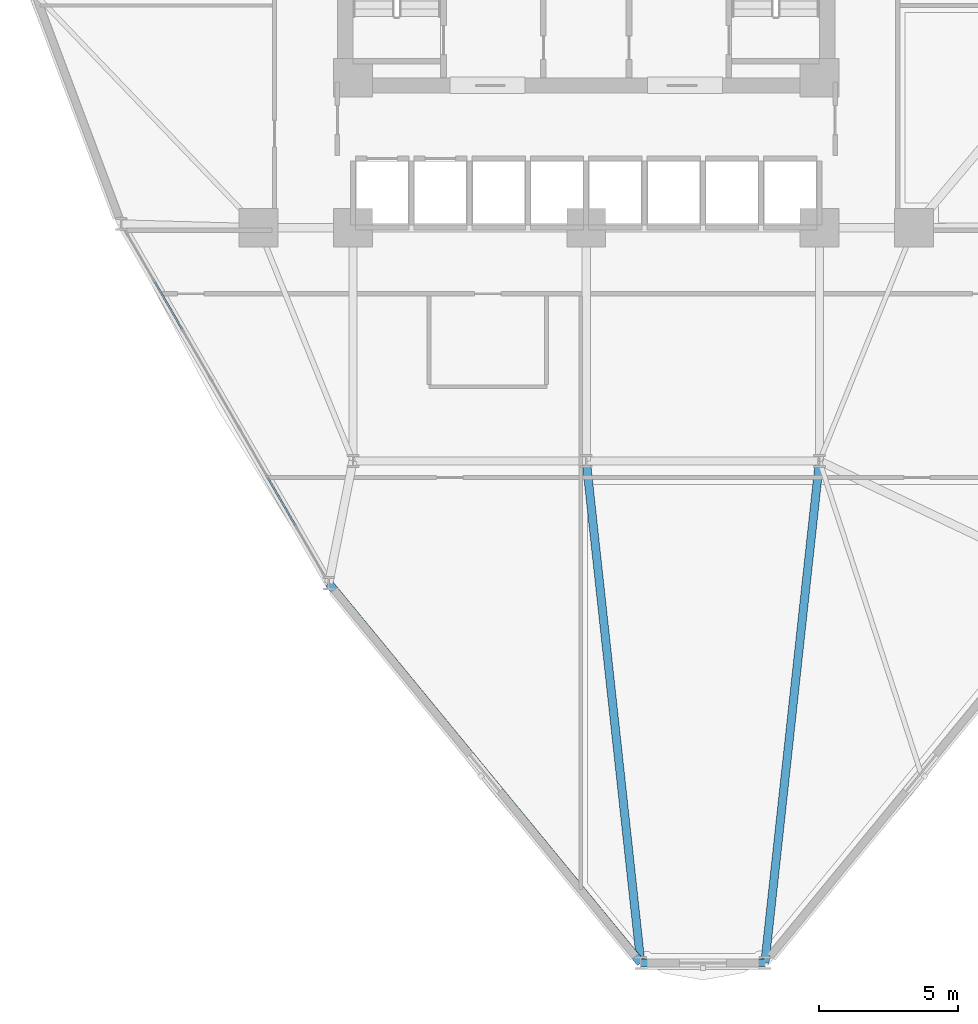
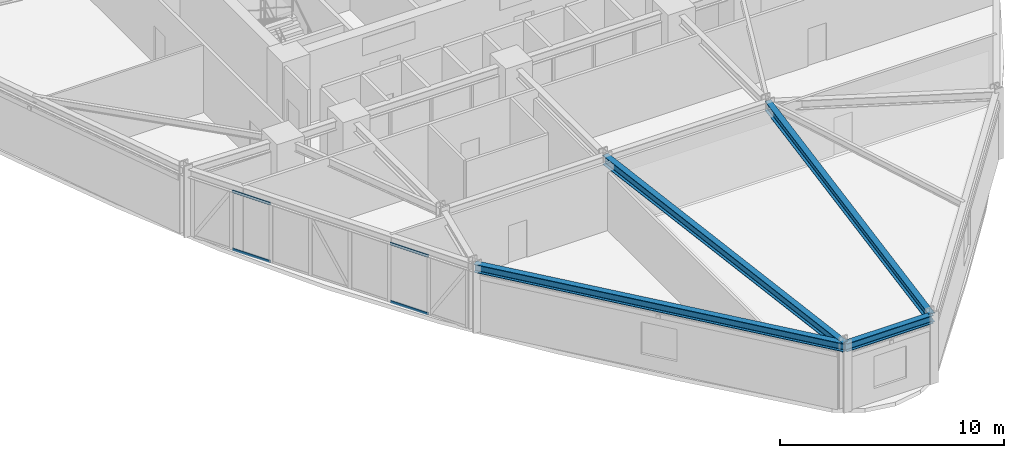
# One storey, part 3 of 20: 4 beams, 4 members, 1 element without a shape of its own.
"""IFC4 building model written with IfcOpenShell, lengths in metres."""

from ifc_helpers import new_model, si_unit, derived_unit, direction, frame, origin, origin_2d, place, context, subcontext, project, spatial, hollow_rectangle, i_section, extrude, source, transform, mapped, material, layer, layer_set, material_profile, profile_set, type_object, element, aggregate, save


model = new_model("IFC4")

# Units and contexts
model_context = context("Model", 3, precision=1e-05, world=origin(), true_north=direction((0.0, 1.0)))
body_context = subcontext(model_context, "Body", "Model", "MODEL_VIEW")
ifc_project = project(units=[si_unit("LENGTHUNIT", "METRE"), si_unit("AREAUNIT", "SQUARE_METRE"), si_unit("VOLUMEUNIT", "CUBIC_METRE"), si_unit("PLANEANGLEUNIT", "RADIAN"), si_unit("MASSUNIT", "GRAM", prefix="KILO"), derived_unit("THERMALTRANSMITTANCEUNIT", [(si_unit("POWERUNIT", "WATT"), 1), (si_unit("LENGTHUNIT", "METRE"), -2), (si_unit("THERMODYNAMICTEMPERATUREUNIT", "KELVIN"), -1)])], contexts=[model_context])

# Site, building, storey
site_placement = place(None, origin())
site = spatial("IfcSite", under=ifc_project, at=site_placement, CompositionType="ELEMENT")
building_placement = place(site_placement, origin())
building = spatial("IfcBuilding", under=site, at=building_placement, Name="Korsvarv Bourse and Concert Hall", CompositionType="ELEMENT")
storey_placement = place(building_placement, frame((0.0, 0.0, 75.60009765625)))
storey = spatial("IfcBuildingStorey", under=building, at=storey_placement, Name="L18", CompositionType="ELEMENT", Elevation=75.60009765625)

# Beams
ifc_material_1 = material(Name="Steel S355", Category="steel")
ifc_material_profile_1 = material_profile(ifc_material_1, i_section(OverallWidth=0.300048828125, OverallDepth=0.449951171875, WebThickness=0.013916015625, FlangeThickness=0.02587890625, FilletRadius=0.02099609375, at=origin_2d()), Name="HEB 450")
ifc_profile_set_1 = profile_set([ifc_material_profile_1], Name="Steel S355")
beam_type_1 = type_object("IfcBeamType", Name="BM-HEB450", PredefinedType="SPANDREL", material=ifc_profile_set_1)
shared_shape_1 = source(origin(), body_context, "Body", "SweptSolid", [
    extrude(i_section(OverallWidth=0.300048828125, OverallDepth=0.449951171875, WebThickness=0.013916015625, FlangeThickness=0.02587890625, FilletRadius=0.02099609375, at=origin_2d()), origin(), (0.0, 0.0, 1.0), 17.69775390625),
])
beam_1_placement = place(storey_placement, frame((26.728515625, 19.59814453125, 3.454833984375), z_axis=(0.634956504164, -0.772547887073, 0.0), x_axis=(0.772547887073, 0.634956504164, 0.0)))
element("IfcBeam", 1, at=beam_1_placement, inside=storey, type_object=beam_type_1, Name="L18 beam B-08", PredefinedType="SPANDREL", context=body_context, shape_type="MappedRepresentation", body=[
    mapped(shared_shape_1, transform((0.0, 0.0, 0.0), scale=1.0)),
])
shared_shape_2 = source(origin(), body_context, "Body", "SweptSolid", [
    extrude(i_section(OverallWidth=0.300048828125, OverallDepth=0.449951171875, WebThickness=0.013916015625, FlangeThickness=0.02587890625, FilletRadius=0.02099609375, at=origin_2d()), origin(), (0.0, 0.0, 1.0), 4.46826171875),
])
beam_2_placement = place(storey_placement, frame((37.9658203125, 5.92578125, 3.454833984375), z_axis=(1.0, 0.0, 0.0), x_axis=(0.0, 1.0, 0.0)))
element("IfcBeam", 2, at=beam_2_placement, inside=storey, type_object=beam_type_1, Name="L18 beam B-08", PredefinedType="SPANDREL", context=body_context, shape_type="MappedRepresentation", body=[
    mapped(shared_shape_2, transform((0.0, 0.0, 0.0), scale=1.0)),
])
ifc_material_profile_2 = material_profile(ifc_material_1, i_section(OverallWidth=0.300048828125, OverallDepth=0.5, WebThickness=0.014404296875, FlangeThickness=0.028076171875, FilletRadius=0.02392578125, at=origin_2d()), Name="HEB 500")
ifc_profile_set_2 = profile_set([ifc_material_profile_2], Name="Steel S355")
beam_type_2 = type_object("IfcBeamType", Name="BM-HEB500", PredefinedType="BEAM", material=ifc_profile_set_2)
shared_shape_3 = source(origin(), body_context, "Body", "SweptSolid", [
    extrude(i_section(OverallWidth=0.300048828125, OverallDepth=0.5, WebThickness=0.014404296875, FlangeThickness=0.028076171875, FilletRadius=0.02392578125, at=origin_2d()), origin(), (0.0, 0.0, 1.0), 18.180908203125),
])
for number, where, z_axis, x_axis, name in (
    (3, (37.9658203125, 5.92578125, 3.429931640625), (-0.108126115942, 0.994137185227, 0.0), (-0.994137185227, -0.108126115942, 0.0), "L18 beam B-07"),
    (4, (42.43408203125, 5.92578125, 3.429931640625), (0.108126115942, 0.994137185227, 0.0), (-0.994137185227, 0.108126115942, 0.0), "L18 beam B-07"),
):
    element("IfcBeam", number, at=place(storey_placement, frame(where, z_axis=z_axis, x_axis=x_axis)), inside=storey, type_object=beam_type_2, Name=name, PredefinedType="BEAM", context=body_context, shape_type="MappedRepresentation", body=[
        mapped(shared_shape_3, transform((0.0, 0.0, 0.0), scale=1.0)),
    ])

# Curtain wall, members
ifc_material_2 = material(Name="Anodised aluminium and triple low-E glazing", Category="glass")
ifc_layer = layer(ifc_material_2, 0.219970703125)
ifc_layer_set = layer_set([ifc_layer], Name="Anodised aluminium and triple low-E glazing")
curtain_wall_type = type_object("IfcCurtainWallType", Name="CW-SYS-1", PredefinedType="NOTDEFINED", material=ifc_layer_set)
curtain_wall_placement = place(storey_placement, origin())
curtain_wall = element("IfcCurtainWall", 5, at=curtain_wall_placement, inside=storey, type_object=curtain_wall_type, Name="L18 CW1 curtain wall CW-L18-F07", PredefinedType="NOTDEFINED")
ifc_material_3 = material(Name="Extruded aluminium EN AW-6063 T66", Category="aluminium")
ifc_material_profile_3 = material_profile(ifc_material_3, hollow_rectangle(XDim=0.06494140625, YDim=0.139892578125, WallThickness=0.00390625, at=origin_2d()), Name="ALU-T 65x140")
ifc_profile_set_3 = profile_set([ifc_material_profile_3], Name="Extruded aluminium EN AW-6063 T66")
member_type = type_object("IfcMemberType", Name="CWT-140", PredefinedType="USERDEFINED", material=ifc_profile_set_3)
shared_shape_4 = source(origin(), body_context, "Body", "SweptSolid", [
    extrude(hollow_rectangle(XDim=0.06494140625, YDim=0.139892578125, WallThickness=0.00390625, at=origin_2d()), origin(), (0.0, 0.0, 1.0), 1.969482421875),
])
member_1_placement = place(storey_placement, frame((20.46240234375, 30.450927734375, 0.032470703125), z_axis=(0.499965693083, -0.866045209986, 0.0), x_axis=(0.866045209986, 0.499965693083, 0.0)))
member_1 = element("IfcMember", 6, at=member_1_placement, type_object=member_type, Name="CW1 transom 2.1", ObjectType="TRANSOM", PredefinedType="USERDEFINED", context=body_context, shape_type="MappedRepresentation", body=[
    mapped(shared_shape_4, transform((0.0, 0.0, 0.0), scale=1.0)),
])
member_2_placement = place(storey_placement, frame((20.46240234375, 30.450927734375, 3.197509765625), z_axis=(0.499965693083, -0.866045209986, 0.0), x_axis=(0.866045209986, 0.499965693083, 0.0)))
member_2 = element("IfcMember", 7, at=member_2_placement, type_object=member_type, Name="CW1 transom 2.2", ObjectType="TRANSOM", PredefinedType="USERDEFINED", context=body_context, shape_type="MappedRepresentation", body=[
    mapped(shared_shape_4, transform((0.0, 0.0, 0.0), scale=1.0)),
])
shared_shape_5 = source(origin(), body_context, "Body", "SweptSolid", [
    extrude(hollow_rectangle(XDim=0.06494140625, YDim=0.139892578125, WallThickness=0.00390625, at=origin_2d()), origin(), (0.0, 0.0, 1.0), 1.96923828125),
])
member_3_placement = place(storey_placement, frame((24.541015625, 23.38671875, 0.032470703125), z_axis=(0.500019375444, -0.866014217078, 0.0), x_axis=(0.866014217078, 0.500019375444, 0.0)))
member_3 = element("IfcMember", 8, at=member_3_placement, type_object=member_type, Name="CW1 transom 6.1", ObjectType="TRANSOM", PredefinedType="USERDEFINED", context=body_context, shape_type="MappedRepresentation", body=[
    mapped(shared_shape_5, transform((0.0, 0.0, 0.0), scale=1.0)),
])
member_4_placement = place(storey_placement, frame((24.541015625, 23.38671875, 3.197509765625), z_axis=(0.500019375444, -0.866014217078, 0.0), x_axis=(0.866014217078, 0.500019375444, 0.0)))
member_4 = element("IfcMember", 9, at=member_4_placement, type_object=member_type, Name="CW1 transom 6.2", ObjectType="TRANSOM", PredefinedType="USERDEFINED", context=body_context, shape_type="MappedRepresentation", body=[
    mapped(shared_shape_5, transform((0.0, 0.0, 0.0), scale=1.0)),
])
aggregate(curtain_wall, [member_1, member_2, member_3, member_4])

save(model, "model.ifc")
